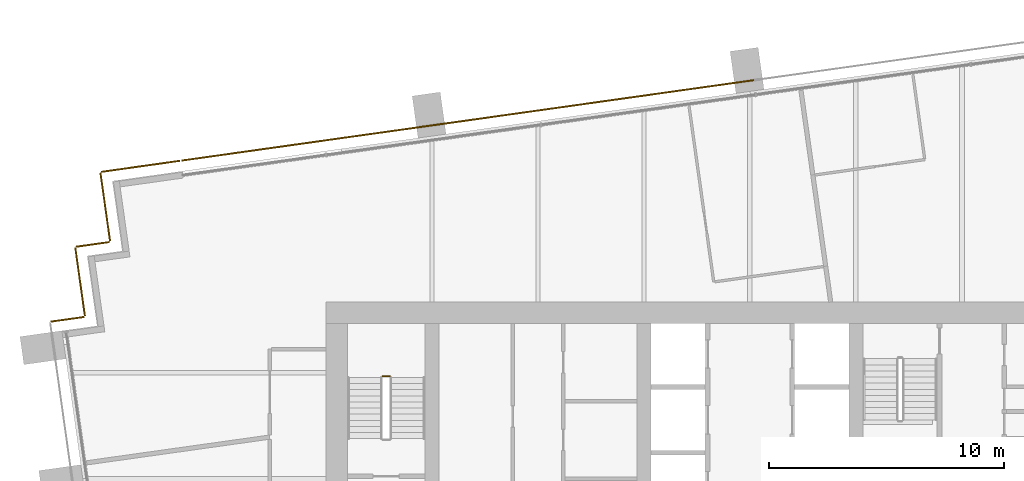
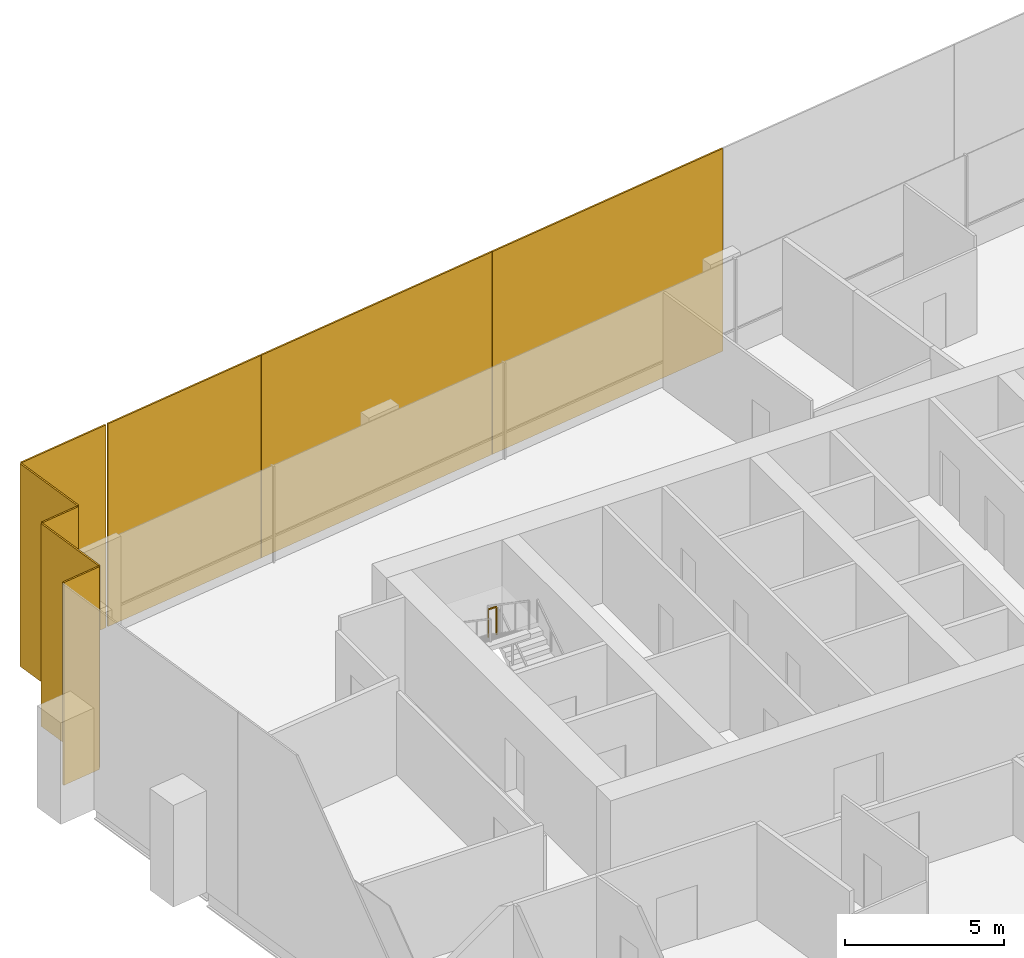
# One storey, part 16 of 17: 8 coverings, 1 railing.
"""IFC4 building model written with IfcOpenShell, lengths in metres."""

import ifcopenshell
import ifcopenshell.guid

model = None  # the IFC model being written
_history = None  # IfcOwnerHistory: only IFC2X3 demands one
_inside = {}  # id of a spatial element -> (the spatial element, [elements in it])
_under = {}  # id of a project, library or spatial element -> (it, [spatial elements below it])
_declared = {}  # id of a project -> (the project, [libraries it declares])
_typed = {}  # id of a type object -> (the type object, [elements of that type])
_made_of = {}  # id of a material, layer set ... -> (it, [elements and type objects made of it])


def new_model(schema):
    """Start an empty IFC model of exactly this schema.

    Asked for "IFC4X3", IfcOpenShell would pick the latest addendum, in which some entities
    have other attributes; the version numbers below select the first issue.
    IFC2X3 requires an IfcOwnerHistory on every rooted entity: one is made here for all.
    """
    global model, _history
    if schema == "IFC4X3":
        model = ifcopenshell.file(schema_version=(4, 3, 0, 0))
    else:
        model = ifcopenshell.file(schema=schema)
    _inside.clear()
    _under.clear()
    _declared.clear()
    _typed.clear()
    _made_of.clear()
    _history = None
    if model.schema == "IFC2X3":
        org = make("IfcOrganization", Name="unknown")
        user = make(
            "IfcPersonAndOrganization",
            ThePerson=make("IfcPerson", FamilyName="unknown"),
            TheOrganization=org,
        )
        app = make(
            "IfcApplication",
            ApplicationDeveloper=org,
            Version="unknown",
            ApplicationFullName="unknown",
            ApplicationIdentifier="unknown",
        )
        _history = make(
            "IfcOwnerHistory",
            OwningUser=user,
            OwningApplication=app,
            ChangeAction="ADDED",
            CreationDate=0,
        )
    return model


def make(cls, **values):
    """One entity of the class cls with the attributes given. An attribute that is None is left unset."""
    return model.create_entity(
        cls, **{name: value for name, value in values.items() if value is not None}
    )


def rooted(cls, **values):
    """An entity with a GlobalId (a new one), such as an element, a storey or a relation."""
    return make(cls, GlobalId=ifcopenshell.guid.new(), OwnerHistory=_history, **values)


def si_unit(unit_type, name, prefix=None):
    """IfcSIUnit, for example si_unit("LENGTHUNIT", "METRE", prefix="MILLI")."""
    return make("IfcSIUnit", UnitType=unit_type, Prefix=prefix, Name=name)


def assignment(units):
    """IfcUnitAssignment: the units of a project."""
    return None if units is None else make("IfcUnitAssignment", Units=units)


def point(xyz):
    """IfcCartesianPoint."""
    return None if xyz is None else make("IfcCartesianPoint", Coordinates=xyz)


def direction(xyz):
    """IfcDirection."""
    return None if xyz is None else make("IfcDirection", DirectionRatios=xyz)


def frame(location, z_axis=None, x_axis=None):
    """IfcAxis2Placement3D, a coordinate frame: its origin and axes. An axis left out is left unset."""
    return make(
        "IfcAxis2Placement3D",
        Location=point(location),
        Axis=direction(z_axis),
        RefDirection=direction(x_axis),
    )


def frame_2d(location, x_axis=None):
    """IfcAxis2Placement2D, a coordinate frame in the plane: its origin and x axis."""
    return make(
        "IfcAxis2Placement2D", Location=point(location), RefDirection=direction(x_axis)
    )


def origin():
    """The frame at (0, 0, 0) with its axes left unset."""
    return frame((0.0, 0.0, 0.0))


def origin_2d():
    """The frame at (0, 0) in the plane with its x axis left unset."""
    return frame_2d((0.0, 0.0))


def place(relative_to, where):
    """IfcLocalPlacement: puts the frame where relative to a parent placement (None: the world)."""
    return make(
        "IfcLocalPlacement", PlacementRelTo=relative_to, RelativePlacement=where
    )


def context(
    kind, dimensions, precision=None, world=None, true_north=None, identifier=None
):
    """IfcGeometricRepresentationContext, for example the 3D "Model" context."""
    return make(
        "IfcGeometricRepresentationContext",
        ContextIdentifier=identifier,
        ContextType=kind,
        CoordinateSpaceDimension=dimensions,
        Precision=precision,
        WorldCoordinateSystem=world,
        TrueNorth=true_north,
    )


def subcontext(parent, identifier, kind, view, scale=None):
    """IfcGeometricRepresentationSubContext, for example "Body" below "Model"."""
    return make(
        "IfcGeometricRepresentationSubContext",
        ContextIdentifier=identifier,
        ContextType=kind,
        ParentContext=parent,
        TargetScale=scale,
        TargetView=view,
    )


def project(units=None, contexts=None):
    """IfcProject with its units and contexts."""
    return rooted(
        "IfcProject",
        Name="project",
        RepresentationContexts=contexts,
        UnitsInContext=assignment(units),
    )


def spatial(cls, under=None, at=None, **own):
    """A site, building, storey or space (cls), placed at a placement, below another one or the project."""
    s = rooted(cls, ObjectPlacement=at, **own)
    if under is not None:
        _under.setdefault(under.id(), (under, []))[1].append(s)
    return s


def profile(cls, at=None, kind="AREA", **sizes):
    """A parametric profile (cls). Its sizes go by their IFC names, for example OverallWidth=200.0."""
    return make(cls, ProfileType=kind, Position=at, **sizes)


def rectangle(**sizes):
    """IfcRectangleProfileDef."""
    return profile("IfcRectangleProfileDef", **sizes)


def extrude(swept, where, along, depth):
    """IfcExtrudedAreaSolid: the profile swept, set in the frame where, extruded along a direction by depth."""
    return make(
        "IfcExtrudedAreaSolid",
        SweptArea=swept,
        Position=where,
        ExtrudedDirection=direction(along),
        Depth=depth,
    )


def shape(context_of_items, identifier, shape_type, items):
    """IfcShapeRepresentation: the items that make up one representation, for example the "Body"."""
    return make(
        "IfcShapeRepresentation",
        ContextOfItems=context_of_items,
        RepresentationIdentifier=identifier,
        RepresentationType=shape_type,
        Items=items,
    )


def material(Name=None, Category=None):
    """IfcMaterial."""
    return make("IfcMaterial", Name=Name, Category=Category)


def layer(
    of_material, thickness, ventilated=None, Name=None, Category=None, Priority=None
):
    """IfcMaterialLayer: one layer of a wall or slab, of a material (None: an air gap)."""
    return make(
        "IfcMaterialLayer",
        Material=of_material,
        LayerThickness=thickness,
        IsVentilated=ventilated,
        Name=Name,
        Category=Category,
        Priority=Priority,
    )


def layer_set(layers, Name=None):
    """IfcMaterialLayerSet."""
    return make("IfcMaterialLayerSet", MaterialLayers=layers, LayerSetName=Name)


def made_of(thing, what):
    """Note that an element or type object is made of a material, layer set ...; save() writes the relation."""
    if what is not None:
        _made_of.setdefault(what.id(), (what, []))[1].append(thing)
    return thing


def type_object(cls, material=None, **own):
    """A type object (cls), such as IfcWallType, which elements share."""
    return made_of(rooted(cls, **own), material)


def element(
    cls,
    number,
    at=None,
    inside=None,
    cuts=None,
    type_object=None,
    material=None,
    context=None,
    identifier="Body",
    shape_type=None,
    held_by="IfcProductDefinitionShape",
    body=None,
    shapes=None,
    **own,
):
    """One element of the class cls, such as IfcWall. Its Tag is "e" and its number.

    at: its placement. inside: the storey or other place that contains it. cuts: it is an
    opening in that element (IfcRelVoidsElement). A single representation is given by context,
    identifier, shape_type and body (its items); several are given by shapes. held_by: the class
    of the entity that holds the representations. save() writes the other relations.
    """
    e = rooted(cls, Tag="e%d" % number, ObjectPlacement=at, **own)
    if body is not None:
        shapes = [shape(context, identifier, shape_type, body)]
    if shapes is not None:
        e.Representation = make(held_by, Representations=shapes)
    if inside is not None:
        _inside.setdefault(inside.id(), (inside, []))[1].append(e)
    if cuts is not None:
        rooted(
            "IfcRelVoidsElement", RelatingBuildingElement=cuts, RelatedOpeningElement=e
        )
    if type_object is not None:
        _typed.setdefault(type_object.id(), (type_object, []))[1].append(e)
    return made_of(e, material)


def aggregate(whole, parts):
    """IfcRelAggregates: a whole, such as a stair, and the parts it consists of."""
    return rooted("IfcRelAggregates", RelatingObject=whole, RelatedObjects=parts)


def save(model, path):
    """Write the relations noted so far, then the file.

    IfcRelAggregates (storeys below a building ...), IfcRelContainedInSpatialStructure (elements
    in a storey), IfcRelDefinesByType, IfcRelAssociatesMaterial and IfcRelDeclares: one each for
    every whole, place, type object, material and project.
    """
    for whole, parts in _under.values():
        aggregate(whole, parts)
    for where, things in _inside.values():
        rooted(
            "IfcRelContainedInSpatialStructure",
            RelatedElements=things,
            RelatingStructure=where,
        )
    for kind, things in _typed.values():
        rooted("IfcRelDefinesByType", RelatedObjects=things, RelatingType=kind)
    for what, things in _made_of.values():
        rooted("IfcRelAssociatesMaterial", RelatedObjects=things, RelatingMaterial=what)
    for by, libraries in _declared.values():
        rooted("IfcRelDeclares", RelatingContext=by, RelatedDefinitions=libraries)
    model.write(path)


model = new_model("IFC4")

# Units and contexts
model_context = context("Model", 3, precision=1e-05, world=origin(), true_north=direction((0.0, 1.0)))
body_context = subcontext(model_context, "Body", "Model", "MODEL_VIEW")
ifc_project = project(units=[si_unit("LENGTHUNIT", "METRE"), si_unit("AREAUNIT", "SQUARE_METRE"), si_unit("VOLUMEUNIT", "CUBIC_METRE"), si_unit("PLANEANGLEUNIT", "RADIAN"), si_unit("MASSUNIT", "GRAM", prefix="KILO")], contexts=[model_context])

# Site, building, storey
site_placement = place(None, origin())
site = spatial("IfcSite", under=ifc_project, at=site_placement, CompositionType="ELEMENT")
building_placement = place(site_placement, origin())
building = spatial("IfcBuilding", under=site, at=building_placement, Name="Rattan Terrace Tower", CompositionType="ELEMENT")
storey_placement = place(building_placement, frame((0.0, 0.0, 191.89990234375)))
storey = spatial("IfcBuildingStorey", under=building, at=storey_placement, Name="L44", CompositionType="ELEMENT", Elevation=191.89990234375)

# Railing
ifc_material_1 = material(Name="Powder-coated steel guard", Category="steel")
railing_type = type_object("IfcRailingType", Name="Core stair guard", PredefinedType="GUARDRAIL", material=ifc_material_1)
railing_placement = place(storey_placement, frame((-15.300048828125, 4.35009765625, 1.9501953125)))
element("IfcRailing", 1, at=railing_placement, inside=storey, type_object=railing_type, Name="L44 S1 stair guard 2", PredefinedType="GUARDRAIL", context=body_context, shape_type="SweptSolid", body=[
    extrude(rectangle(XDim=0.048095703125, YDim=0.048095703125, at=origin_2d()), frame((0.0, 0.0, 1.076171875), z_axis=(-1.0, 0.0, 0.0), x_axis=(0.0, -1.0, 0.0)), (0.0, 0.0, 1.0), 0.300048828125),
    extrude(rectangle(XDim=0.0419921875, YDim=0.0419921875, at=origin_2d()), origin(), (0.0, 0.0, 1.0), 1.052001953125),
    extrude(rectangle(XDim=0.0419921875, YDim=0.0419921875, at=origin_2d()), frame((-0.300048828125, 0.0, 0.0)), (0.0, 0.0, 1.0), 1.052001953125),
])

# Coverings
ifc_material_2 = material(Name="Perforated terracotta", Category="masonry")
ifc_layer = layer(ifc_material_2, 0.06005859375)
ifc_layer_set = layer_set([ifc_layer], Name="Facade Terracotta Screen Panel")
covering_type = type_object("IfcCoveringType", Name="Facade Terracotta Screen Panel", PredefinedType="CLADDING", material=ifc_layer_set)
for number, where, z_axis, x_axis, name in (
    (2, (-4.39794921875, 16.285400390625, -0.18994140625), (0.0, 0.0, 1.0), (-0.990269702686, -0.139161474347, 0.0), "OUTER SKIN panel L44-17"),
    (3, (-13.521484375, 15.003173828125, -0.18994140625), (0.0, 0.0, 1.0), (-0.990269702686, -0.139161474347, 0.0), "OUTER SKIN panel L44-18"),
):
    element("IfcCovering", number, at=place(storey_placement, frame(where, z_axis=z_axis, x_axis=x_axis)), inside=storey, type_object=covering_type, Name=name, PredefinedType="CLADDING", context=body_context, shape_type="SweptSolid", body=[
        extrude(rectangle(XDim=9.193115234375, YDim=0.06005859375, at=origin_2d()), origin(), (0.0, 0.0, 1.0), 7.780029296875),
    ])
covering_1_placement = place(storey_placement, frame((-21.112548828125, 13.9365234375, -0.18994140625), z_axis=(0.0, 0.0, 1.0), x_axis=(-0.990269702686, -0.139161474347, 0.0)))
element("IfcCovering", 4, at=covering_1_placement, inside=storey, type_object=covering_type, Name="OUTER SKIN panel L44-19", PredefinedType="CLADDING", context=body_context, shape_type="SweptSolid", body=[
    extrude(rectangle(XDim=6.098388671875, YDim=0.06005859375, at=origin_2d()), origin(), (0.0, 0.0, 1.0), 7.780029296875),
])
covering_2_placement = place(storey_placement, frame((-25.8798828125, 13.266357421875, -0.18994140625), z_axis=(0.0, 0.0, 1.0), x_axis=(-0.990247240581, -0.139321220646, 0.0)))
element("IfcCovering", 5, at=covering_2_placement, inside=storey, type_object=covering_type, Name="OUTER SKIN panel L44-20", PredefinedType="CLADDING", context=body_context, shape_type="SweptSolid", body=[
    extrude(rectangle(XDim=3.370361328125, YDim=0.06005859375, at=origin_2d()), origin(), (0.0, 0.0, 1.0), 7.780029296875),
])
covering_3_placement = place(storey_placement, frame((-27.37939453125, 11.54052734375, -0.18994140625), z_axis=(0.0, 0.0, 1.0), x_axis=(0.139321220646, -0.990247240581, 0.0)))
element("IfcCovering", 6, at=covering_3_placement, inside=storey, type_object=covering_type, Name="OUTER SKIN panel L44-21", PredefinedType="CLADDING", context=body_context, shape_type="SweptSolid", body=[
    extrude(rectangle(XDim=2.919921875, YDim=0.06005859375, at=origin_2d()), origin(), (0.0, 0.0, 1.0), 7.780029296875),
])
covering_4_placement = place(storey_placement, frame((-27.913330078125, 9.951171875, -0.18994140625), z_axis=(0.0, 0.0, 1.0), x_axis=(-0.990345406709, -0.138621698915, 0.0)))
element("IfcCovering", 7, at=covering_4_placement, inside=storey, type_object=covering_type, Name="OUTER SKIN panel L44-22", PredefinedType="CLADDING", context=body_context, shape_type="SweptSolid", body=[
    extrude(rectangle(XDim=1.42041015625, YDim=0.06005859375, at=origin_2d()), origin(), (0.0, 0.0, 1.0), 7.780029296875),
])
covering_5_placement = place(storey_placement, frame((-28.447265625, 8.361572265625, -0.18994140625), z_axis=(0.0, 0.0, 1.0), x_axis=(0.139321220646, -0.990247240581, 0.0)))
element("IfcCovering", 8, at=covering_5_placement, inside=storey, type_object=covering_type, Name="OUTER SKIN panel L44-23", PredefinedType="CLADDING", context=body_context, shape_type="SweptSolid", body=[
    extrude(rectangle(XDim=2.920654296875, YDim=0.06005859375, at=origin_2d()), origin(), (0.0, 0.0, 1.0), 7.780029296875),
])
covering_6_placement = place(storey_placement, frame((-28.981201171875, 6.771484375, -0.18994140625), z_axis=(0.0, 0.0, 1.0), x_axis=(-0.99025370695, -0.139275252184, 0.0)))
element("IfcCovering", 9, at=covering_6_placement, inside=storey, type_object=covering_type, Name="OUTER SKIN panel L44-24", PredefinedType="CLADDING", context=body_context, shape_type="SweptSolid", body=[
    extrude(rectangle(XDim=1.420654296875, YDim=0.06005859375, at=origin_2d()), origin(), (0.0, 0.0, 1.0), 7.780029296875),
])

save(model, "model.ifc")
